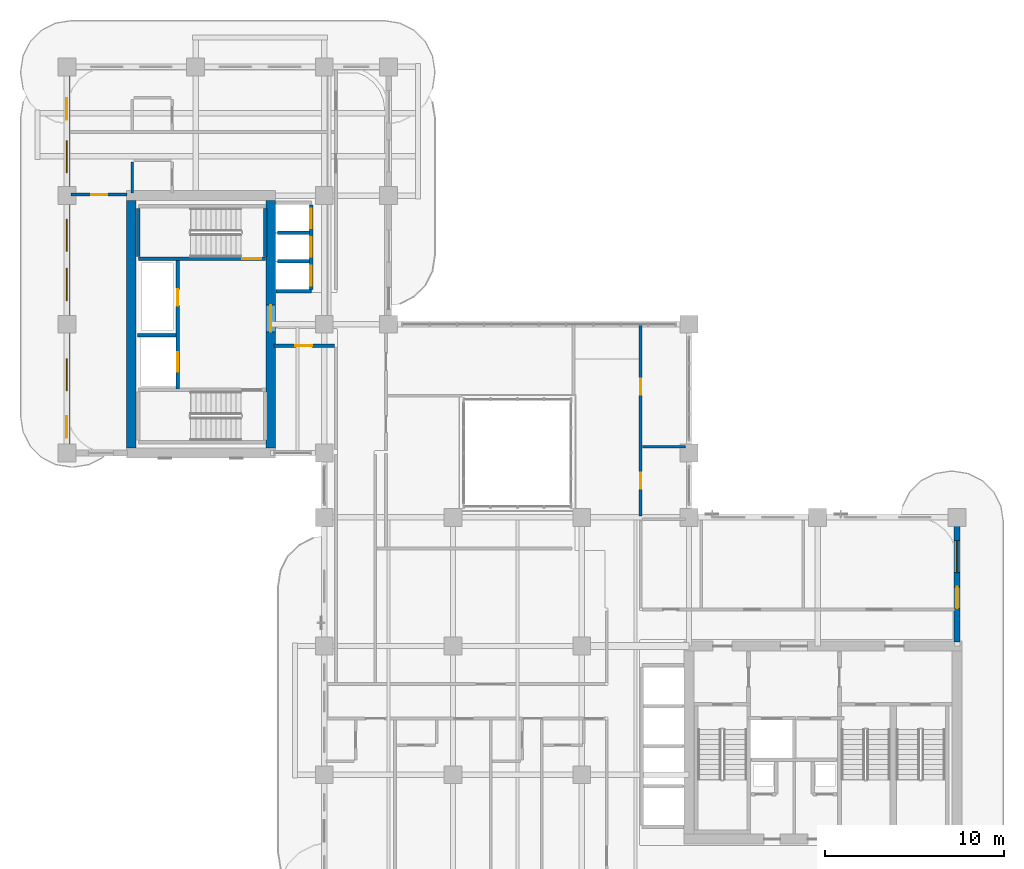
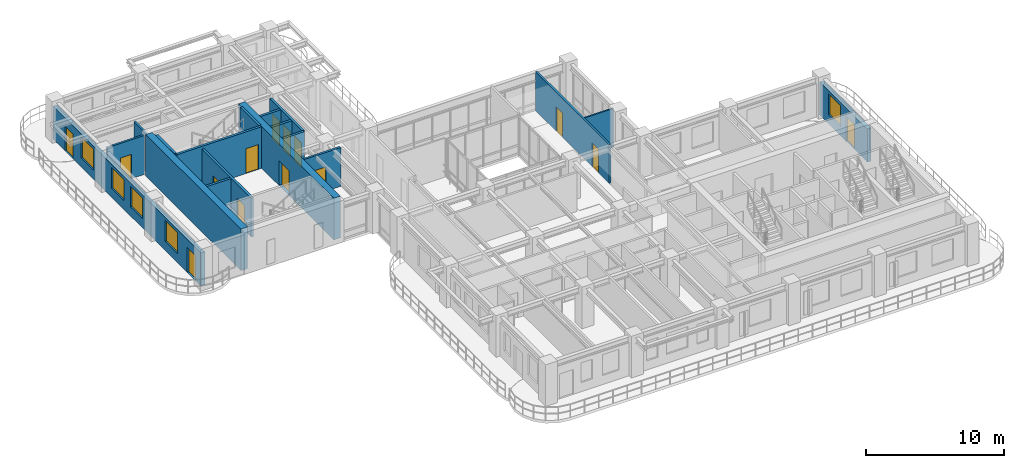
# One storey, part 14 of 20: 18 walls, 14 doors, 5 windows, 19 openings.
"""IFC4 building model written with IfcOpenShell, lengths in metres."""

from ifc_helpers import new_model, si_unit, derived_unit, direction, frame, frame_2d, origin, place, context, subcontext, project, spatial, rectangle, extrude, source, transform, mapped, material, layer, layer_set, type_object, type_shapes, element, fill, save


model = new_model("IFC4")

# Units and contexts
model_context = context("Model", 3, precision=1e-05, world=origin(), true_north=direction((0.0, 1.0)))
body_context = subcontext(model_context, "Body", "Model", "MODEL_VIEW")
ifc_project = project(units=[si_unit("LENGTHUNIT", "METRE"), si_unit("AREAUNIT", "SQUARE_METRE"), si_unit("VOLUMEUNIT", "CUBIC_METRE"), si_unit("PLANEANGLEUNIT", "RADIAN"), si_unit("MASSUNIT", "GRAM", prefix="KILO"), si_unit("THERMODYNAMICTEMPERATUREUNIT", "KELVIN"), si_unit("POWERUNIT", "WATT"), derived_unit("THERMALTRANSMITTANCEUNIT", [(si_unit("POWERUNIT", "WATT"), 1), (si_unit("AREAUNIT", "SQUARE_METRE"), -1), (si_unit("THERMODYNAMICTEMPERATUREUNIT", "KELVIN"), -1)])], contexts=[model_context])

# Site, building, storey
site_placement = place(None, origin())
site = spatial("IfcSite", under=ifc_project, at=site_placement, CompositionType="ELEMENT")
building_placement = place(site_placement, origin())
building = spatial("IfcBuilding", under=site, at=building_placement, Name="Zahravan Archway Hotel and Residences", CompositionType="ELEMENT")
storey_placement = place(building_placement, frame((0.0, 0.0, 122.89990234375)))
storey = spatial("IfcBuildingStorey", under=building, at=storey_placement, Name="L30", CompositionType="ELEMENT", Elevation=122.89990234375)

# Wall
ifc_material_1 = material(Name="Concrete C70/85", Category="concrete")
ifc_layer_1 = layer(ifc_material_1, 0.550048828125, Name="Concrete C70/85", Category="concrete")
ifc_layer_set_1 = layer_set([ifc_layer_1], Name="Concrete C70/85")
wall_type_1 = type_object("IfcWallType", Name="CW-CORE-550", PredefinedType="SHEAR", material=ifc_layer_set_1)
wall_1_placement = place(storey_placement, frame((3.60009765625, 25.47509765625, 0.0), z_axis=(0.0, 0.0, 1.0), x_axis=(0.0, 1.0, 0.0)))
element("IfcWall", 1, at=wall_1_placement, inside=storey, type_object=wall_type_1, Name="L30 Core B Shear W Wall 550 mm", PredefinedType="SHEAR", context=body_context, shape_type="SweptSolid", body=[
    extrude(rectangle(XDim=13.849853515625, YDim=0.550048828125, at=frame_2d((6.9248046875, 0.0))), origin(), (0.0, 0.0, 1.0), 3.7001953125),
])

# Wall, opening, door
wall_2_placement = place(storey_placement, frame((11.39990234375, 25.47509765625, 0.0), z_axis=(0.0, 0.0, 1.0), x_axis=(0.0, 1.0, 0.0)))
wall_2 = element("IfcWall", 2, at=wall_2_placement, inside=storey, type_object=wall_type_1, Name="L30 Core B Shear E Wall 550 mm", PredefinedType="SHEAR", context=body_context, shape_type="SweptSolid", body=[
    extrude(rectangle(XDim=13.849853515625, YDim=0.550048828125, at=frame_2d((6.9248046875, 0.0))), origin(), (0.0, 0.0, 1.0), 3.7001953125),
])
opening_1_placement = place(wall_2_placement, frame((6.4951171875, 0.0, 0.0)))
opening_1 = element("IfcOpeningElement", 3, at=opening_1_placement, cuts=wall_2, Name="Opening FD-L1", PredefinedType="OPENING", context=body_context, shape_type="SweptSolid", body=[
    extrude(rectangle(XDim=1.5, YDim=2.199951171875, at=frame_2d((0.75, 1.10009765625))), frame((0.0, 0.28515625, 0.0), z_axis=(0.0, -1.0, 0.0), x_axis=(1.0, 0.0, 0.0)), (0.0, 0.0, 1.0), 0.570068359375),
])
ifc_material_2 = material(Name="Fire-Rated Painted Steel", Category="steel")
door_type_1 = type_object("IfcDoorType", Name="FD-LOBBY-1500", OperationType="DOUBLE_DOOR_SINGLE_SWING", PredefinedType="DOOR", material=ifc_material_2)
shared_shape_1 = source(origin(), body_context, "Body", "SweptSolid", [
    extrude(rectangle(XDim=1.5, YDim=2.199951171875, at=frame_2d((0.75, 1.10009765625))), frame((0.0, 0.02490234375, 0.0), z_axis=(0.0, -1.0, 0.0), x_axis=(1.0, 0.0, 0.0)), (0.0, 0.0, 1.0), 0.050048828125),
])
type_shapes(door_type_1, [shared_shape_1])
door_1_placement = place(opening_1_placement, origin())
door_1 = element("IfcDoor", 4, at=door_1_placement, inside=storey, type_object=door_type_1, Name="L30 Core B FSAE Lobby Door", OperationType="DOUBLE_DOOR_SINGLE_SWING", OverallHeight=2.199951171875, OverallWidth=1.5, PredefinedType="DOOR", context=body_context, shape_type="MappedRepresentation", body=[
    mapped(shared_shape_1, transform((0.0, 0.0, 0.0), scale=1.0)),
])
fill(opening_1, door_1)

# Wall, openings, door, window
ifc_material_3 = material(Name="Agra Buff Sandstone & Insulated Backup", Category="masonry")
ifc_layer_2 = layer(ifc_material_3, 0.320068359375, Name="Agra Buff Sandstone & Insulated Backup", Category="masonry")
ifc_layer_set_2 = layer_set([ifc_layer_2], Name="Agra Buff Sandstone & Insulated Backup")
wall_type_2 = type_object("IfcWallType", Name="EW-SAND-320", PredefinedType="SOLIDWALL", material=ifc_layer_set_2)
wall_3_placement = place(storey_placement, frame((49.800048828125, 14.6201171875, 0.0), z_axis=(0.0, 0.0, 1.0), x_axis=(0.0, 1.0, 0.0)))
wall_3 = element("IfcWall", 5, at=wall_3_placement, inside=storey, type_object=wall_type_2, Name="L30 Exterior Sandstone Wall WA-EN", PredefinedType="SOLIDWALL", context=body_context, shape_type="SweptSolid", body=[
    extrude(rectangle(XDim=6.929931640625, YDim=0.320068359375, at=frame_2d((3.46484375, 0.0))), origin(), (0.0, 0.0, 1.0), 2.93505859375),
])
opening_2_placement = place(wall_3_placement, frame((1.888916015625, 0.0, 0.0)))
opening_2 = element("IfcOpeningElement", 6, at=opening_2_placement, cuts=wall_3, Name="Opening ED-BL1", PredefinedType="OPENING", context=body_context, shape_type="SweptSolid", body=[
    extrude(rectangle(XDim=1.199951171875, YDim=2.199951171875, at=frame_2d((0.60009765625, 1.10009765625))), frame((0.0, 0.169921875, 0.0), z_axis=(0.0, -1.0, 0.0), x_axis=(1.0, 0.0, 0.0)), (0.0, 0.0, 1.0), 0.340087890625),
])
opening_3_placement = place(wall_3_placement, frame((3.884033203125, 0.0, 0.800048828125)))
opening_3 = element("IfcOpeningElement", 7, at=opening_3_placement, cuts=wall_3, Name="Opening W-02", PredefinedType="OPENING", context=body_context, shape_type="SweptSolid", body=[
    extrude(rectangle(XDim=1.800048828125, YDim=1.85009765625, at=frame_2d((0.89990234375, 0.925048828125))), frame((0.0, 0.169921875, 0.0), z_axis=(0.0, -1.0, 0.0), x_axis=(1.0, 0.0, 0.0)), (0.0, 0.0, 1.0), 0.340087890625),
])
ifc_material_4 = material(Name="Bronze-Anodized Glazed Aluminium", Category="aluminium")
door_type_2 = type_object("IfcDoorType", Name="ED-BALC-1200", OperationType="SLIDING_TO_LEFT", PredefinedType="DOOR", material=ifc_material_4)
shared_shape_2 = source(origin(), body_context, "Body", "SweptSolid", [
    extrude(rectangle(XDim=1.199951171875, YDim=2.199951171875, at=frame_2d((0.60009765625, 1.10009765625))), frame((0.0, 0.02490234375, 0.0), z_axis=(0.0, -1.0, 0.0), x_axis=(1.0, 0.0, 0.0)), (0.0, 0.0, 1.0), 0.050048828125),
])
type_shapes(door_type_2, [shared_shape_2])
door_2_placement = place(opening_2_placement, origin())
door_2 = element("IfcDoor", 8, at=door_2_placement, inside=storey, type_object=door_type_2, Name="L30 Outdoor Access Sliding Door (SLB-BAL-L30-EA)", OperationType="SLIDING_TO_LEFT", OverallHeight=2.199951171875, OverallWidth=1.199951171875, PredefinedType="DOOR", context=body_context, shape_type="MappedRepresentation", body=[
    mapped(shared_shape_2, transform((0.0, 0.0, 0.0), scale=1.0)),
])
fill(opening_2, door_2)
ifc_material_5 = material(Name="Bronze-Anodized Thermal-Break Aluminium & Low-E Glass", Category="aluminium")
window_type = type_object("IfcWindowType", Name="WIN-TWR-1800", PartitioningType="DOUBLE_PANEL_VERTICAL", PredefinedType="WINDOW", material=ifc_material_5)
shared_shape_3 = source(origin(), body_context, "Body", "SweptSolid", [
    extrude(rectangle(XDim=1.800048828125, YDim=1.85009765625, at=frame_2d((0.89990234375, 0.925048828125))), frame((0.0, 0.030029296875, 0.0), z_axis=(0.0, -1.0, 0.0), x_axis=(1.0, 0.0, 0.0)), (0.0, 0.0, 1.0), 0.06005859375),
])
type_shapes(window_type, [shared_shape_3])
window_1_placement = place(opening_3_placement, origin())
window_1 = element("IfcWindow", 9, at=window_1_placement, inside=storey, type_object=window_type, Name="L30 Loggia Window 11", OverallHeight=1.85009765625, OverallWidth=1.800048828125, PartitioningType="DOUBLE_PANEL_VERTICAL", PredefinedType="WINDOW", context=body_context, shape_type="MappedRepresentation", body=[
    mapped(shared_shape_3, transform((0.0, 0.0, 0.0), scale=1.0)),
])
fill(opening_3, window_1)

# Wall, openings, doors, windows
wall_4_placement = place(storey_placement, frame((0.0, 25.25, 0.0), z_axis=(0.0, 0.0, 1.0), x_axis=(0.0, 1.0, 0.0)))
wall_4 = element("IfcWall", 10, at=wall_4_placement, inside=storey, type_object=wall_type_2, Name="L30 Exterior Sandstone Wall WB-W", PredefinedType="SOLIDWALL", context=body_context, shape_type="SweptSolid", body=[
    extrude(rectangle(XDim=21.5, YDim=0.320068359375, at=frame_2d((10.75, 0.0))), origin(), (0.0, 0.0, 1.0), 2.93505859375),
])
opening_4_placement = place(wall_4_placement, frame((18.60693359375, 0.0, 0.0)))
opening_4 = element("IfcOpeningElement", 11, at=opening_4_placement, cuts=wall_4, Name="Opening ED-BL1", PredefinedType="OPENING", context=body_context, shape_type="SweptSolid", body=[
    extrude(rectangle(XDim=1.199951171875, YDim=2.199951171875, at=frame_2d((0.60009765625, 1.10009765625))), frame((0.0, 0.169921875, 0.0), z_axis=(0.0, -1.0, 0.0), x_axis=(1.0, 0.0, 0.0)), (0.0, 0.0, 1.0), 0.340087890625),
])
opening_5_placement = place(wall_4_placement, frame((0.800048828125, 0.0, 0.0)))
opening_5 = element("IfcOpeningElement", 12, at=opening_5_placement, cuts=wall_4, Name="Opening ED-BL1", PredefinedType="OPENING", context=body_context, shape_type="SweptSolid", body=[
    extrude(rectangle(XDim=1.199951171875, YDim=2.199951171875, at=frame_2d((0.60009765625, 1.10009765625))), frame((0.0, 0.169921875, 0.0), z_axis=(0.0, -1.0, 0.0), x_axis=(1.0, 0.0, 0.0)), (0.0, 0.0, 1.0), 0.340087890625),
])
opening_6_placement = place(wall_4_placement, frame((3.425048828125, 0.0, 0.800048828125)))
opening_6 = element("IfcOpeningElement", 13, at=opening_6_placement, cuts=wall_4, Name="Opening W-02", PredefinedType="OPENING", context=body_context, shape_type="SweptSolid", body=[
    extrude(rectangle(XDim=1.800048828125, YDim=1.85009765625, at=frame_2d((0.89990234375, 0.925048828125))), frame((0.0, 0.169921875, 0.0), z_axis=(0.0, -1.0, 0.0), x_axis=(1.0, 0.0, 0.0)), (0.0, 0.0, 1.0), 0.340087890625),
])
opening_7_placement = place(wall_4_placement, frame((8.47509765625, 0.0, 0.800048828125)))
opening_7 = element("IfcOpeningElement", 14, at=opening_7_placement, cuts=wall_4, Name="Opening W-02", PredefinedType="OPENING", context=body_context, shape_type="SweptSolid", body=[
    extrude(rectangle(XDim=1.800048828125, YDim=1.85009765625, at=frame_2d((0.89990234375, 0.925048828125))), frame((0.0, 0.169921875, 0.0), z_axis=(0.0, -1.0, 0.0), x_axis=(1.0, 0.0, 0.0)), (0.0, 0.0, 1.0), 0.340087890625),
])
opening_8_placement = place(wall_4_placement, frame((11.22509765625, 0.0, 0.800048828125)))
opening_8 = element("IfcOpeningElement", 15, at=opening_8_placement, cuts=wall_4, Name="Opening W-02", PredefinedType="OPENING", context=body_context, shape_type="SweptSolid", body=[
    extrude(rectangle(XDim=1.800048828125, YDim=1.85009765625, at=frame_2d((0.89990234375, 0.925048828125))), frame((0.0, 0.169921875, 0.0), z_axis=(0.0, -1.0, 0.0), x_axis=(1.0, 0.0, 0.0)), (0.0, 0.0, 1.0), 0.340087890625),
])
opening_9_placement = place(wall_4_placement, frame((15.62109375, 0.0, 0.800048828125)))
opening_9 = element("IfcOpeningElement", 16, at=opening_9_placement, cuts=wall_4, Name="Opening W-02", PredefinedType="OPENING", context=body_context, shape_type="SweptSolid", body=[
    extrude(rectangle(XDim=1.800048828125, YDim=1.85009765625, at=frame_2d((0.89990234375, 0.925048828125))), frame((0.0, 0.169921875, 0.0), z_axis=(0.0, -1.0, 0.0), x_axis=(1.0, 0.0, 0.0)), (0.0, 0.0, 1.0), 0.340087890625),
])
door_3_placement = place(opening_4_placement, origin())
door_3 = element("IfcDoor", 17, at=door_3_placement, inside=storey, type_object=door_type_2, Name="L30 Outdoor Access Sliding Door (SLB-BAL-L30-NB)", OperationType="SLIDING_TO_LEFT", OverallHeight=2.199951171875, OverallWidth=1.199951171875, PredefinedType="DOOR", context=body_context, shape_type="MappedRepresentation", body=[
    mapped(shared_shape_2, transform((0.0, 0.0, 0.0), scale=1.0)),
])
fill(opening_4, door_3)
door_4_placement = place(opening_5_placement, origin())
door_4 = element("IfcDoor", 18, at=door_4_placement, inside=storey, type_object=door_type_2, Name="L30 Outdoor Access Sliding Door (SLB-BAL-L30-WB)", OperationType="SLIDING_TO_LEFT", OverallHeight=2.199951171875, OverallWidth=1.199951171875, PredefinedType="DOOR", context=body_context, shape_type="MappedRepresentation", body=[
    mapped(shared_shape_2, transform((0.0, 0.0, 0.0), scale=1.0)),
])
fill(opening_5, door_4)
window_2_placement = place(opening_6_placement, origin())
window_2 = element("IfcWindow", 19, at=window_2_placement, inside=storey, type_object=window_type, Name="L30 Loggia Window 23", OverallHeight=1.85009765625, OverallWidth=1.800048828125, PartitioningType="DOUBLE_PANEL_VERTICAL", PredefinedType="WINDOW", context=body_context, shape_type="MappedRepresentation", body=[
    mapped(shared_shape_3, transform((0.0, 0.0, 0.0), scale=1.0)),
])
fill(opening_6, window_2)
window_3_placement = place(opening_7_placement, origin())
window_3 = element("IfcWindow", 20, at=window_3_placement, inside=storey, type_object=window_type, Name="L30 Loggia Window 24", OverallHeight=1.85009765625, OverallWidth=1.800048828125, PartitioningType="DOUBLE_PANEL_VERTICAL", PredefinedType="WINDOW", context=body_context, shape_type="MappedRepresentation", body=[
    mapped(shared_shape_3, transform((0.0, 0.0, 0.0), scale=1.0)),
])
fill(opening_7, window_3)
window_4_placement = place(opening_8_placement, origin())
window_4 = element("IfcWindow", 21, at=window_4_placement, inside=storey, type_object=window_type, Name="L30 Loggia Window 25", OverallHeight=1.85009765625, OverallWidth=1.800048828125, PartitioningType="DOUBLE_PANEL_VERTICAL", PredefinedType="WINDOW", context=body_context, shape_type="MappedRepresentation", body=[
    mapped(shared_shape_3, transform((0.0, 0.0, 0.0), scale=1.0)),
])
fill(opening_8, window_4)
window_5_placement = place(opening_9_placement, origin())
window_5 = element("IfcWindow", 22, at=window_5_placement, inside=storey, type_object=window_type, Name="L30 Loggia Window 26", OverallHeight=1.85009765625, OverallWidth=1.800048828125, PartitioningType="DOUBLE_PANEL_VERTICAL", PredefinedType="WINDOW", context=body_context, shape_type="MappedRepresentation", body=[
    mapped(shared_shape_3, transform((0.0, 0.0, 0.0), scale=1.0)),
])
fill(opening_9, window_5)

# Wall
ifc_material_6 = material(Name="Acoustic Stud Partition")
ifc_layer_3 = layer(ifc_material_6, 0.125, Name="Acoustic Stud Partition")
ifc_layer_set_3 = layer_set([ifc_layer_3], Name="Acoustic Stud Partition")
wall_type_3 = type_object("IfcWallType", Name="PW-INT-125", PredefinedType="PARTITIONING", material=ifc_layer_set_3)
wall_5_placement = place(storey_placement, frame((32.18994140625, 25.550048828125, 0.0), z_axis=(0.0, 0.0, 1.0), x_axis=(1.0, 0.0, 0.0)))
element("IfcWall", 23, at=wall_5_placement, inside=storey, type_object=wall_type_3, Name="L30 Partition ATR-EM1", PredefinedType="PARTITIONING", context=body_context, shape_type="SweptSolid", body=[
    extrude(rectangle(XDim=2.420166015625, YDim=0.125, at=frame_2d((1.2099609375, 0.0))), origin(), (0.0, 0.0, 1.0), 3.4501953125),
])

# Wall, openings, doors
ifc_material_7 = material(Name="Fire-Rated Gypsum & Concrete Block", Category="concrete")
ifc_layer_4 = layer(ifc_material_7, 0.199951171875, Name="Fire-Rated Gypsum & Concrete Block", Category="concrete")
ifc_layer_set_4 = layer_set([ifc_layer_4], Name="Fire-Rated Gypsum & Concrete Block")
wall_type_4 = type_object("IfcWallType", Name="PW-SHAFT-200", PredefinedType="PARTITIONING", material=ifc_layer_set_4)
wall_6_placement = place(storey_placement, frame((6.199951171875, 28.7900390625, 0.0), z_axis=(0.0, 0.0, 1.0), x_axis=(0.0, 1.0, 0.0)))
wall_6 = element("IfcWall", 24, at=wall_6_placement, inside=storey, type_object=wall_type_4, Name="L30 Partition CB-FL3E", PredefinedType="PARTITIONING", context=body_context, shape_type="SweptSolid", body=[
    extrude(rectangle(XDim=7.219970703125, YDim=0.199951171875, at=frame_2d((3.60986328125, 0.0))), origin(), (0.0, 0.0, 1.0), 3.4501953125),
])
opening_10_placement = place(wall_6_placement, frame((4.659912109375, 0.0, 0.0)))
opening_10 = element("IfcOpeningElement", 25, at=opening_10_placement, cuts=wall_6, Name="Opening FD-R1", PredefinedType="OPENING", context=body_context, shape_type="SweptSolid", body=[
    extrude(rectangle(XDim=0.89990234375, YDim=2.10009765625, at=frame_2d((0.449951171875, 1.050048828125))), frame((0.0, 0.10986328125, 0.0), z_axis=(0.0, -1.0, 0.0), x_axis=(1.0, 0.0, 0.0)), (0.0, 0.0, 1.0), 0.219970703125),
])
opening_11_placement = place(wall_6_placement, frame((0.9599609375, 0.0, 0.0)))
opening_11 = element("IfcOpeningElement", 26, at=opening_11_placement, cuts=wall_6, Name="Opening LD", PredefinedType="OPENING", context=body_context, shape_type="SweptSolid", body=[
    extrude(rectangle(XDim=1.10009765625, YDim=2.199951171875, at=frame_2d((0.550048828125, 1.10009765625))), frame((0.0, 0.10986328125, 0.0), z_axis=(0.0, -1.0, 0.0), x_axis=(1.0, 0.0, 0.0)), (0.0, 0.0, 1.0), 0.219970703125),
])
door_type_3 = type_object("IfcDoorType", Name="FD-RISER-900", OperationType="NOTDEFINED", PredefinedType="DOOR", material=ifc_material_2)
shared_shape_4 = source(origin(), body_context, "Body", "SweptSolid", [
    extrude(rectangle(XDim=0.89990234375, YDim=2.10009765625, at=frame_2d((0.449951171875, 1.050048828125))), frame((0.0, 0.02490234375, 0.0), z_axis=(0.0, -1.0, 0.0), x_axis=(1.0, 0.0, 0.0)), (0.0, 0.0, 1.0), 0.050048828125),
])
type_shapes(door_type_3, [shared_shape_4])
door_5_placement = place(opening_10_placement, origin())
door_5 = element("IfcDoor", 27, at=door_5_placement, inside=storey, type_object=door_type_3, Name="L30 Core B Riser Door", OperationType="SINGLE_SWING_RIGHT", OverallHeight=2.10009765625, OverallWidth=0.89990234375, PredefinedType="DOOR", context=body_context, shape_type="MappedRepresentation", body=[
    mapped(shared_shape_4, transform((0.0, 0.0, 0.0), scale=1.0)),
])
fill(opening_10, door_5)
ifc_material_8 = material(Name="Brushed Stainless Steel", Category="steel")
door_type_4 = type_object("IfcDoorType", Name="DR-LIFT-LD", OperationType="SLIDING_TO_LEFT", PredefinedType="DOOR", material=ifc_material_8)
shared_shape_5 = source(origin(), body_context, "Body", "SweptSolid", [
    extrude(rectangle(XDim=1.10009765625, YDim=2.199951171875, at=frame_2d((0.550048828125, 1.10009765625))), frame((0.0, 0.02490234375, 0.0), z_axis=(0.0, -1.0, 0.0), x_axis=(1.0, 0.0, 0.0)), (0.0, 0.0, 1.0), 0.050048828125),
])
type_shapes(door_type_4, [shared_shape_5])
door_6_placement = place(opening_11_placement, origin())
door_6 = element("IfcDoor", 28, at=door_6_placement, inside=storey, type_object=door_type_4, Name="L30 Lift FL-3 Sliding Landing Door", OperationType="SLIDING_TO_LEFT", OverallHeight=2.199951171875, OverallWidth=1.10009765625, PredefinedType="DOOR", context=body_context, shape_type="MappedRepresentation", body=[
    mapped(shared_shape_5, transform((0.0, 0.0, 0.0), scale=1.0)),
])
fill(opening_11, door_6)

# Walls
wall_7_placement = place(storey_placement, frame((3.9599609375, 31.780029296875, 0.0), z_axis=(0.0, 0.0, 1.0), x_axis=(1.0, 0.0, 0.0)))
element("IfcWall", 29, at=wall_7_placement, inside=storey, type_object=wall_type_4, Name="L30 Partition CB-FL3N", PredefinedType="PARTITIONING", context=body_context, shape_type="SweptSolid", body=[
    extrude(rectangle(XDim=2.130126953125, YDim=0.199951171875, at=frame_2d((1.06494140625, 0.0))), origin(), (0.0, 0.0, 1.0), 3.4501953125),
])
wall_8_placement = place(storey_placement, frame((11.68505859375, 34.25, 0.0), z_axis=(0.0, 0.0, 1.0), x_axis=(1.0, 0.0, 0.0)))
element("IfcWall", 30, at=wall_8_placement, inside=storey, type_object=wall_type_4, Name="L30 Partition B2-S", PredefinedType="PARTITIONING", context=body_context, shape_type="SweptSolid", body=[
    extrude(rectangle(XDim=1.98486328125, YDim=0.199951171875, at=frame_2d((0.992431640625, 0.0))), origin(), (0.0, 0.0, 1.0), 3.4501953125),
])

# Wall, openings, doors
wall_9_placement = place(storey_placement, frame((13.679931640625, 34.360107421875, 0.0), z_axis=(0.0, 0.0, 1.0), x_axis=(0.0, 1.0, 0.0)))
wall_9 = element("IfcWall", 31, at=wall_9_placement, inside=storey, type_object=wall_type_4, Name="L30 Partition B2-E", PredefinedType="PARTITIONING", context=body_context, shape_type="SweptSolid", body=[
    extrude(rectangle(XDim=4.719970703125, YDim=0.199951171875, at=frame_2d((2.35986328125, 0.0))), origin(), (0.0, 0.0, 1.0), 3.4501953125),
])
opening_12_placement = place(wall_9_placement, frame((0.2099609375, 0.0, 0.0)))
opening_12 = element("IfcOpeningElement", 32, at=opening_12_placement, cuts=wall_9, Name="Opening LD", PredefinedType="OPENING", context=body_context, shape_type="SweptSolid", body=[
    extrude(rectangle(XDim=1.10009765625, YDim=2.199951171875, at=frame_2d((0.550048828125, 1.10009765625))), frame((0.0, 0.10986328125, 0.0), z_axis=(0.0, -1.0, 0.0), x_axis=(1.0, 0.0, 0.0)), (0.0, 0.0, 1.0), 0.219970703125),
])
opening_13_placement = place(wall_9_placement, frame((1.81005859375, 0.0, 0.0)))
opening_13 = element("IfcOpeningElement", 33, at=opening_13_placement, cuts=wall_9, Name="Opening LD", PredefinedType="OPENING", context=body_context, shape_type="SweptSolid", body=[
    extrude(rectangle(XDim=1.10009765625, YDim=2.199951171875, at=frame_2d((0.550048828125, 1.10009765625))), frame((0.0, 0.10986328125, 0.0), z_axis=(0.0, -1.0, 0.0), x_axis=(1.0, 0.0, 0.0)), (0.0, 0.0, 1.0), 0.219970703125),
])
opening_14_placement = place(wall_9_placement, frame((3.409912109375, 0.0, 0.0)))
opening_14 = element("IfcOpeningElement", 34, at=opening_14_placement, cuts=wall_9, Name="Opening LD", PredefinedType="OPENING", context=body_context, shape_type="SweptSolid", body=[
    extrude(rectangle(XDim=1.10009765625, YDim=2.199951171875, at=frame_2d((0.550048828125, 1.10009765625))), frame((0.0, 0.10986328125, 0.0), z_axis=(0.0, -1.0, 0.0), x_axis=(1.0, 0.0, 0.0)), (0.0, 0.0, 1.0), 0.219970703125),
])
door_7_placement = place(opening_12_placement, origin())
door_7 = element("IfcDoor", 35, at=door_7_placement, inside=storey, type_object=door_type_4, Name="L30 Lift LP-4 Sliding Landing Door", OperationType="SLIDING_TO_LEFT", OverallHeight=2.199951171875, OverallWidth=1.10009765625, PredefinedType="DOOR", context=body_context, shape_type="MappedRepresentation", body=[
    mapped(shared_shape_5, transform((0.0, 0.0, 0.0), scale=1.0)),
])
fill(opening_12, door_7)
door_8_placement = place(opening_13_placement, origin())
door_8 = element("IfcDoor", 36, at=door_8_placement, inside=storey, type_object=door_type_4, Name="L30 Lift LP-5 Sliding Landing Door", OperationType="SLIDING_TO_LEFT", OverallHeight=2.199951171875, OverallWidth=1.10009765625, PredefinedType="DOOR", context=body_context, shape_type="MappedRepresentation", body=[
    mapped(shared_shape_5, transform((0.0, 0.0, 0.0), scale=1.0)),
])
fill(opening_13, door_8)
door_9_placement = place(opening_14_placement, origin())
door_9 = element("IfcDoor", 37, at=door_9_placement, inside=storey, type_object=door_type_4, Name="L30 Lift LP-6 Sliding Landing Door", OperationType="SLIDING_TO_LEFT", OverallHeight=2.199951171875, OverallWidth=1.10009765625, PredefinedType="DOOR", context=body_context, shape_type="MappedRepresentation", body=[
    mapped(shared_shape_5, transform((0.0, 0.0, 0.0), scale=1.0)),
])
fill(opening_14, door_9)

# Walls
for number, where, z_axis, x_axis, name in (
    (38, (11.784912109375, 35.919921875, 0.0), (0.0, 0.0, 1.0), (1.0, 0.0, 0.0), "L30 Partition B2-D"),
    (39, (11.784912109375, 37.52001953125, 0.0), (0.0, 0.0, 1.0), (1.0, 0.0, 0.0), "L30 Partition B2-D"),
):
    element("IfcWall", number, at=place(storey_placement, frame(where, z_axis=z_axis, x_axis=x_axis)), inside=storey, type_object=wall_type_4, Name=name, PredefinedType="PARTITIONING", context=body_context, shape_type="SweptSolid", body=[
        extrude(rectangle(XDim=1.78515625, YDim=0.199951171875, at=frame_2d((0.892578125, 0.0))), origin(), (0.0, 0.0, 1.0), 3.4501953125),
    ])

# Wall, opening, door
ifc_layer_5 = layer(ifc_material_6, 0.169921875, Name="Acoustic Stud Partition")
ifc_layer_set_5 = layer_set([ifc_layer_5], Name="Acoustic Stud Partition")
wall_type_5 = type_object("IfcWallType", Name="PW-UNIT-170", PredefinedType="PARTITIONING", material=ifc_layer_set_5)
wall_10_placement = place(storey_placement, frame((0.239990234375, 39.64990234375, 0.0), z_axis=(0.0, 0.0, 1.0), x_axis=(1.0, 0.0, 0.0)))
wall_10 = element("IfcWall", 40, at=wall_10_placement, inside=storey, type_object=wall_type_5, Name="L30 Partition WBW-N", PredefinedType="PARTITIONING", context=body_context, shape_type="SweptSolid", body=[
    extrude(rectangle(XDim=3.1201171875, YDim=0.169921875, at=frame_2d((1.56005859375, 0.0))), origin(), (0.0, 0.0, 1.0), 3.4501953125),
])
opening_15_placement = place(wall_10_placement, frame((1.110107421875, 0.0, 0.0)))
opening_15 = element("IfcOpeningElement", 41, at=opening_15_placement, cuts=wall_10, Name="Opening D-I2", PredefinedType="OPENING", context=body_context, shape_type="SweptSolid", body=[
    extrude(rectangle(XDim=0.89990234375, YDim=2.14990234375, at=frame_2d((0.449951171875, 1.074951171875))), frame((0.0, 0.094970703125, 0.0), z_axis=(0.0, -1.0, 0.0), x_axis=(1.0, 0.0, 0.0)), (0.0, 0.0, 1.0), 0.18994140625),
])
ifc_material_9 = material(Name="Hardwood Veneer Timber", Category="wood")
door_type_5 = type_object("IfcDoorType", Name="ID-INT-900", OperationType="NOTDEFINED", PredefinedType="DOOR", material=ifc_material_9)
shared_shape_6 = source(origin(), body_context, "Body", "SweptSolid", [
    extrude(rectangle(XDim=0.89990234375, YDim=2.14990234375, at=frame_2d((0.449951171875, 1.074951171875))), frame((0.0, 0.02490234375, 0.0), z_axis=(0.0, -1.0, 0.0), x_axis=(1.0, 0.0, 0.0)), (0.0, 0.0, 1.0), 0.050048828125),
])
type_shapes(door_type_5, [shared_shape_6])
door_10_placement = place(opening_15_placement, origin())
door_10 = element("IfcDoor", 42, at=door_10_placement, inside=storey, type_object=door_type_5, Name="L30 West Loggia Salon Door", OperationType="SINGLE_SWING_RIGHT", OverallHeight=2.14990234375, OverallWidth=0.89990234375, PredefinedType="DOOR", context=body_context, shape_type="MappedRepresentation", body=[
    mapped(shared_shape_6, transform((0.0, 0.0, 0.0), scale=1.0)),
])
fill(opening_15, door_10)

wall_11_placement = place(storey_placement, frame((11.590087890625, 31.199951171875, 0.0), z_axis=(0.0, 0.0, 1.0), x_axis=(1.0, 0.0, 0.0)))
wall_11 = element("IfcWall", 43, at=wall_11_placement, inside=storey, type_object=wall_type_5, Name="L30 Partition FB1-N", PredefinedType="PARTITIONING", context=body_context, shape_type="SweptSolid", body=[
    extrude(rectangle(XDim=3.369873046875, YDim=0.169921875, at=frame_2d((1.68505859375, 0.0))), origin(), (0.0, 0.0, 1.0), 3.4501953125),
])
opening_16_placement = place(wall_11_placement, frame((1.18505859375, 0.0, 0.0)))
opening_16 = element("IfcOpeningElement", 44, at=opening_16_placement, cuts=wall_11, Name="Opening D-I1", PredefinedType="OPENING", context=body_context, shape_type="SweptSolid", body=[
    extrude(rectangle(XDim=0.949951171875, YDim=2.14990234375, at=frame_2d((0.47509765625, 1.074951171875))), frame((0.0, 0.094970703125, 0.0), z_axis=(0.0, -1.0, 0.0), x_axis=(1.0, 0.0, 0.0)), (0.0, 0.0, 1.0), 0.18994140625),
])
door_type_6 = type_object("IfcDoorType", Name="ID-INT-950", OperationType="NOTDEFINED", PredefinedType="DOOR", material=ifc_material_9)
shared_shape_7 = source(origin(), body_context, "Body", "SweptSolid", [
    extrude(rectangle(XDim=0.949951171875, YDim=2.14990234375, at=frame_2d((0.47509765625, 1.074951171875))), frame((0.0, 0.02490234375, 0.0), z_axis=(0.0, -1.0, 0.0), x_axis=(1.0, 0.0, 0.0)), (0.0, 0.0, 1.0), 0.050048828125),
])
type_shapes(door_type_6, [shared_shape_7])
door_11_placement = place(opening_16_placement, origin())
door_11 = element("IfcDoor", 45, at=door_11_placement, inside=storey, type_object=door_type_6, Name="L30 Freed Bank 1 Reading Salon Door", OperationType="SINGLE_SWING_LEFT", OverallHeight=2.14990234375, OverallWidth=0.949951171875, PredefinedType="DOOR", context=body_context, shape_type="MappedRepresentation", body=[
    mapped(shared_shape_7, transform((0.0, 0.0, 0.0), scale=1.0)),
])
fill(opening_16, door_11)

# Wall, openings, doors
wall_12_placement = place(storey_placement, frame((32.10009765625, 21.669921875, 0.0), z_axis=(0.0, 0.0, 1.0), x_axis=(0.0, 1.0, 0.0)))
wall_12 = element("IfcWall", 46, at=wall_12_placement, inside=storey, type_object=wall_type_5, Name="L30 Partition ATR-E", PredefinedType="PARTITIONING", context=body_context, shape_type="SweptSolid", body=[
    extrude(rectangle(XDim=10.7021484375, YDim=0.169921875, at=frame_2d((5.35107421875, 0.0))), origin(), (0.0, 0.0, 1.0), 3.4501953125),
])
opening_17_placement = place(wall_12_placement, frame((1.530029296875, 0.0, 0.0)))
opening_17 = element("IfcOpeningElement", 47, at=opening_17_placement, cuts=wall_12, Name="Opening D-I2", PredefinedType="OPENING", context=body_context, shape_type="SweptSolid", body=[
    extrude(rectangle(XDim=0.89990234375, YDim=2.14990234375, at=frame_2d((0.449951171875, 1.074951171875))), frame((0.0, 0.094970703125, 0.0), z_axis=(0.0, -1.0, 0.0), x_axis=(1.0, 0.0, 0.0)), (0.0, 0.0, 1.0), 0.18994140625),
])
opening_18_placement = place(wall_12_placement, frame((6.780029296875, 0.0, 0.0)))
opening_18 = element("IfcOpeningElement", 48, at=opening_18_placement, cuts=wall_12, Name="Opening D-I2", PredefinedType="OPENING", context=body_context, shape_type="SweptSolid", body=[
    extrude(rectangle(XDim=0.89990234375, YDim=2.14990234375, at=frame_2d((0.449951171875, 1.074951171875))), frame((0.0, 0.094970703125, 0.0), z_axis=(0.0, -1.0, 0.0), x_axis=(1.0, 0.0, 0.0)), (0.0, 0.0, 1.0), 0.18994140625),
])
door_12_placement = place(opening_17_placement, origin())
door_12 = element("IfcDoor", 49, at=door_12_placement, inside=storey, type_object=door_type_5, Name="L30 Atrium Office Door", OperationType="SINGLE_SWING_LEFT", OverallHeight=2.14990234375, OverallWidth=0.89990234375, PredefinedType="DOOR", context=body_context, shape_type="MappedRepresentation", body=[
    mapped(shared_shape_6, transform((0.0, 0.0, 0.0), scale=1.0)),
])
fill(opening_17, door_12)
door_13_placement = place(opening_18_placement, origin())
door_13 = element("IfcDoor", 50, at=door_13_placement, inside=storey, type_object=door_type_5, Name="L30 Atrium Boardroom Door", OperationType="SINGLE_SWING_RIGHT", OverallHeight=2.14990234375, OverallWidth=0.89990234375, PredefinedType="DOOR", context=body_context, shape_type="MappedRepresentation", body=[
    mapped(shared_shape_6, transform((0.0, 0.0, 0.0), scale=1.0)),
])
fill(opening_18, door_13)

# Walls
ifc_material_10 = material(Name="Moisture-Resistant Blockwork", Category="masonry")
ifc_layer_6 = layer(ifc_material_10, 0.139892578125, Name="Moisture-Resistant Blockwork", Category="masonry")
ifc_layer_set_6 = layer_set([ifc_layer_6], Name="Moisture-Resistant Blockwork")
wall_type_6 = type_object("IfcWallType", Name="PW-WET-140", PredefinedType="PARTITIONING", material=ifc_layer_set_6)
wall_13_placement = place(storey_placement, frame((3.64990234375, 39.739990234375, 0.0), z_axis=(0.0, 0.0, 1.0), x_axis=(0.0, 1.0, 0.0)))
element("IfcWall", 51, at=wall_13_placement, inside=storey, type_object=wall_type_6, Name="L30 Partition HKB-VL76", PredefinedType="PARTITIONING", context=body_context, shape_type="SweptSolid", body=[
    extrude(rectangle(XDim=1.7451171875, YDim=0.139892578125, at=frame_2d((0.87255859375, 0.0))), origin(), (0.0, 0.0, 1.0), 3.4501953125),
])
ifc_material_11 = material(Name="Concrete C50/60", Category="concrete")
ifc_layer_7 = layer(ifc_material_11, 0.199951171875, Name="Concrete C50/60", Category="concrete")
ifc_layer_set_7 = layer_set([ifc_layer_7], Name="Concrete C50/60")
wall_type_7 = type_object("IfcWallType", Name="SW-STAIR-200", PredefinedType="SHEAR", material=ifc_layer_set_7)
for number, where, z_axis, x_axis, name in (
    (52, (4.0, 36.179931640625, 0.0), (0.0, 0.0, 1.0), (0.0, 1.0, 0.0), "L30 Stairwell RC Wall CB-SB2W"),
    (53, (11.10009765625, 36.179931640625, 0.0), (0.0, 0.0, 1.0), (0.0, 1.0, 0.0), "L30 Stairwell RC Wall CB-SB2E"),
):
    element("IfcWall", number, at=place(storey_placement, frame(where, z_axis=z_axis, x_axis=x_axis)), inside=storey, type_object=wall_type_7, Name=name, PredefinedType="SHEAR", context=body_context, shape_type="SweptSolid", body=[
        extrude(rectangle(XDim=2.699951171875, YDim=0.199951171875, at=frame_2d((1.35009765625, 0.0))), origin(), (0.0, 0.0, 1.0), 3.7001953125),
    ])

# Wall, opening, door
wall_14_placement = place(storey_placement, frame((4.0, 36.06005859375, 0.0), z_axis=(0.0, 0.0, 1.0), x_axis=(1.0, 0.0, 0.0)))
wall_14 = element("IfcWall", 54, at=wall_14_placement, inside=storey, type_object=wall_type_7, Name="L30 Stairwell RC Wall CB-SB2S", PredefinedType="SHEAR", context=body_context, shape_type="SweptSolid", body=[
    extrude(rectangle(XDim=7.10009765625, YDim=0.199951171875, at=frame_2d((3.550048828125, 0.0))), origin(), (0.0, 0.0, 1.0), 3.7001953125),
])
opening_19_placement = place(wall_14_placement, frame((5.81494140625, 0.0, 0.0)))
opening_19 = element("IfcOpeningElement", 55, at=opening_19_placement, cuts=wall_14, Name="Opening FD-S1", PredefinedType="OPENING", context=body_context, shape_type="SweptSolid", body=[
    extrude(rectangle(XDim=1.050048828125, YDim=2.199951171875, at=frame_2d((0.52490234375, 1.10009765625))), frame((0.0, 0.10986328125, 0.0), z_axis=(0.0, -1.0, 0.0), x_axis=(1.0, 0.0, 0.0)), (0.0, 0.0, 1.0), 0.219970703125),
])
door_type_7 = type_object("IfcDoorType", Name="FD-STAIR-1100", OperationType="NOTDEFINED", PredefinedType="DOOR", material=ifc_material_2)
shared_shape_8 = source(origin(), body_context, "Body", "SweptSolid", [
    extrude(rectangle(XDim=1.050048828125, YDim=2.199951171875, at=frame_2d((0.52490234375, 1.10009765625))), frame((0.0, 0.02490234375, 0.0), z_axis=(0.0, -1.0, 0.0), x_axis=(1.0, 0.0, 0.0)), (0.0, 0.0, 1.0), 0.050048828125),
])
type_shapes(door_type_7, [shared_shape_8])
door_14_placement = place(opening_19_placement, origin())
door_14 = element("IfcDoor", 56, at=door_14_placement, inside=storey, type_object=door_type_7, Name="L30 Stair ST-B2 Door", OperationType="SINGLE_SWING_LEFT", OverallHeight=2.199951171875, OverallWidth=1.050048828125, PredefinedType="DOOR", context=body_context, shape_type="MappedRepresentation", body=[
    mapped(shared_shape_8, transform((0.0, 0.0, 0.0), scale=1.0)),
])
fill(opening_19, door_14)

save(model, "model.ifc")
